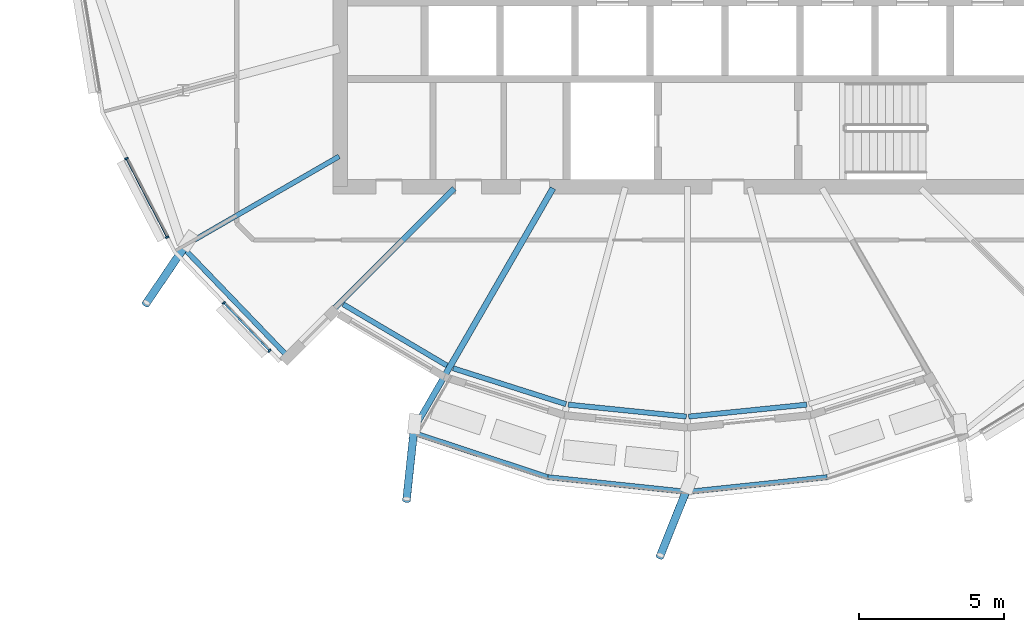
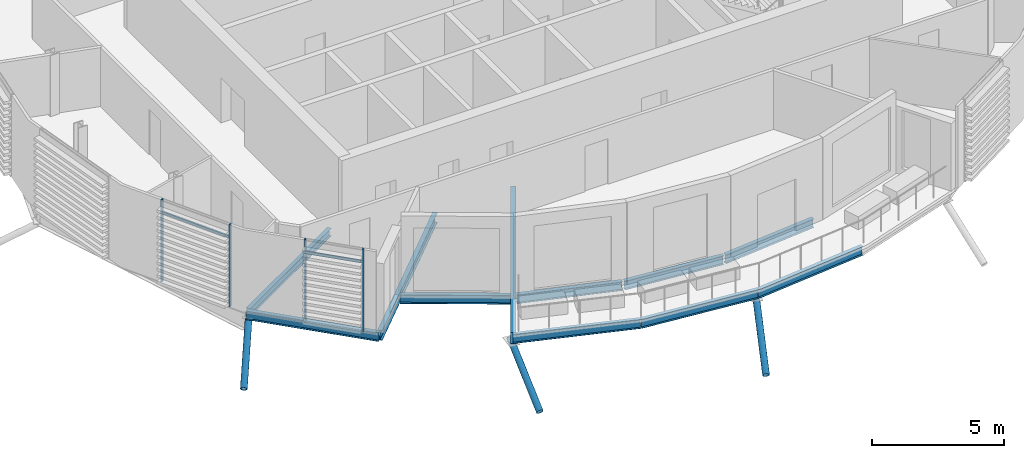
# One storey, part 3 of 41: 11 beams, 9 members, 1 element without a shape of its own.
"""IFC4 building model written with IfcOpenShell, lengths in metres."""

from ifc_helpers import new_model, si_unit, direction, frame, origin, origin_2d, place, context, subcontext, project, spatial, rectangle, hollow_circle, i_section, extrude, clip, halfspace, material, material_profile, profile_set, type_object, element, aggregate, save


model = new_model("IFC4")

# Units and contexts
model_context = context("Model", 3, precision=1e-05, world=origin(), true_north=direction((0.0, 1.0)))
body_context = subcontext(model_context, "Body", "Model", "MODEL_VIEW")
ifc_project = project(units=[si_unit("LENGTHUNIT", "METRE"), si_unit("AREAUNIT", "SQUARE_METRE"), si_unit("VOLUMEUNIT", "CUBIC_METRE"), si_unit("PLANEANGLEUNIT", "RADIAN"), si_unit("MASSUNIT", "GRAM", prefix="KILO")], contexts=[model_context])

# Site, building, storey
site_placement = place(None, origin())
site = spatial("IfcSite", under=ifc_project, at=site_placement, CompositionType="ELEMENT")
building_placement = place(site_placement, origin())
building = spatial("IfcBuilding", under=site, at=building_placement, Name="Rimbun Link Towers", CompositionType="ELEMENT")
storey_placement = place(building_placement, frame((0.0, 0.0, 210.5)))
storey = spatial("IfcBuildingStorey", under=building, at=storey_placement, Name="L51", CompositionType="ELEMENT", Elevation=210.5)

# Curtain wall, members
ifc_material_1 = material(Name="Aluminium 6063-T6 and low-iron glass", Category="aluminium")
curtain_wall_type = type_object("IfcCurtainWallType", Name="CW1-Z4 unitised vision wall (zone 4)", PredefinedType="NOTDEFINED", material=ifc_material_1)
curtain_wall_placement = place(storey_placement, origin())
curtain_wall = element("IfcCurtainWall", 1, at=curtain_wall_placement, inside=storey, type_object=curtain_wall_type, Name="CW1 L51 T1", PredefinedType="NOTDEFINED")
ifc_material_2 = material(Name="Aluminium 6063-T6", Category="aluminium")
ifc_material_profile_1 = material_profile(ifc_material_2, rectangle(XDim=0.1201171875, YDim=0.06005859375, at=origin_2d()), Name="MULLION 60X120")
ifc_profile_set_1 = profile_set([ifc_material_profile_1], Name="Aluminium 6063-T6")
member_type_1 = type_object("IfcMemberType", Name="CW1 mullion 60X120", PredefinedType="MULLION", material=ifc_profile_set_1)
member_1_placement = place(storey_placement, frame((-49.740966796875, -9.74951171875, 0.0), z_axis=(0.0, 0.0, 1.0), x_axis=(-0.888150016656, -0.459553639865, 0.0)))
member_1 = element("IfcMember", 2, at=member_1_placement, type_object=member_type_1, Name="CW1 mullion", PredefinedType="MULLION", context=body_context, shape_type="SweptSolid", body=[
    extrude(rectangle(XDim=0.1201171875, YDim=0.06005859375, at=origin_2d()), origin(), (0.0, 0.0, 1.0), 3.800048828125),
])
member_2_placement = place(storey_placement, frame((-51.1474609375, -7.03125, 0.0), z_axis=(0.0, 0.0, 1.0), x_axis=(-0.888150016656, -0.459553639865, 0.0)))
member_2 = element("IfcMember", 3, at=member_2_placement, type_object=member_type_1, Name="CW1 mullion", PredefinedType="MULLION", context=body_context, shape_type="SweptSolid", body=[
    extrude(rectangle(XDim=0.1201171875, YDim=0.06005859375, at=origin_2d()), origin(), (0.0, 0.0, 1.0), 3.800048828125),
])
member_3_placement = place(storey_placement, frame((-46.200439453125, -13.6708984375, 0.0), z_axis=(0.0, 0.0, 1.0), x_axis=(-0.721846446019, -0.692053255443, 0.0)))
member_3 = element("IfcMember", 4, at=member_3_placement, type_object=member_type_1, Name="CW1 mullion", PredefinedType="MULLION", context=body_context, shape_type="SweptSolid", body=[
    extrude(rectangle(XDim=0.1201171875, YDim=0.06005859375, at=origin_2d()), origin(), (0.0, 0.0, 1.0), 3.800048828125),
])
member_4_placement = place(storey_placement, frame((-47.78271484375, -12.0205078125, 0.0), z_axis=(0.0, 0.0, 1.0), x_axis=(-0.721846446019, -0.692053255443, 0.0)))
member_4 = element("IfcMember", 5, at=member_4_placement, type_object=member_type_1, Name="CW1 mullion", PredefinedType="MULLION", context=body_context, shape_type="SweptSolid", body=[
    extrude(rectangle(XDim=0.1201171875, YDim=0.06005859375, at=origin_2d()), origin(), (0.0, 0.0, 1.0), 3.800048828125),
])
ifc_material_3 = material(Name="Aluminium 6063-T6", Category="aluminium")
ifc_material_profile_2 = material_profile(ifc_material_3, rectangle(XDim=0.06005859375, YDim=0.1201171875, at=origin_2d()), Name="TRANSOM 60X120")
ifc_profile_set_2 = profile_set([ifc_material_profile_2], Name="Aluminium 6063-T6")
member_type_2 = type_object("IfcMemberType", Name="CW1 transom 60X120", PredefinedType="USERDEFINED", material=ifc_profile_set_2)
member_5_placement = place(storey_placement, frame((-49.7529296875, -9.721923828125, 3.199951171875), z_axis=(-0.459538013842, 0.888158101823, 0.0), x_axis=(-0.888158101823, -0.459538013842, 0.0)))
member_5 = element("IfcMember", 6, at=member_5_placement, type_object=member_type_2, Name="CW1 transom", ObjectType="TRANSOM", PredefinedType="USERDEFINED", context=body_context, shape_type="SweptSolid", body=[
    extrude(rectangle(XDim=0.06005859375, YDim=0.1201171875, at=origin_2d()), origin(), (0.0, 0.0, 1.0), 3.000732421875),
])
member_6_placement = place(storey_placement, frame((-46.2197265625, -13.64794921875, 3.199951171875), z_axis=(-0.692036343125, 0.721862659925, 0.0), x_axis=(-0.721862659925, -0.692036343125, 0.0)))
member_6 = element("IfcMember", 7, at=member_6_placement, type_object=member_type_2, Name="CW1 transom", ObjectType="TRANSOM", PredefinedType="USERDEFINED", context=body_context, shape_type="SweptSolid", body=[
    extrude(rectangle(XDim=0.06005859375, YDim=0.1201171875, at=origin_2d()), origin(), (0.0, 0.0, 1.0), 2.226318359375),
])
aggregate(curtain_wall, [member_1, member_2, member_3, member_4, member_5, member_6])

# Members
ifc_material_4 = material(Name="Steel S355J2H", Category="steel")
ifc_material_profile_3 = material_profile(ifc_material_4, hollow_circle(Radius=0.136474609375, WallThickness=0.012451171875, at=origin_2d()), Name="CHS 273x12.5")
ifc_profile_set_3 = profile_set([ifc_material_profile_3], Name="Steel S355J2H")
member_type_3 = type_object("IfcMemberType", Name="Floor edge link CHS 273x12.5", PredefinedType="BRACE", material=ifc_profile_set_3)
member_7_placement = place(storey_placement, frame((-49.08837890625, -10.010498046875, -0.610595703125), z_axis=(-0.477062900924, -0.702152432056, -0.528576343323), x_axis=(0.827145957052, -0.561987157978, 0.0)))
element("IfcMember", 8, at=member_7_placement, inside=storey, type_object=member_type_3, Name="Floor edge link T1 L51 14", PredefinedType="BRACE", context=body_context, shape_type="Clipping", body=[
    clip(extrude(hollow_circle(Radius=0.136474609375, WallThickness=0.012451171875, at=origin_2d()), frame((0.0, 0.0, -0.45751953125)), (0.0, 0.0, 1.0), 3.381591796875), halfspace(frame((0.0, 0.0, -0.21484375), z_axis=(0.0, 0.848885769276, -0.528576343323)), False)),
])
member_8_placement = place(storey_placement, frame((-41.201171875, -16.369873046875, -0.79052734375), z_axis=(-0.091504012591, -0.857755065394, -0.50584905206), x_axis=(0.994357960866, -0.106076602799, 0.0)))
element("IfcMember", 9, at=member_8_placement, inside=storey, type_object=member_type_3, Name="Floor edge link T1 L51 16", PredefinedType="BRACE", context=body_context, shape_type="Clipping", body=[
    clip(extrude(hollow_circle(Radius=0.136474609375, WallThickness=0.012451171875, at=origin_2d()), frame((0.0, 0.0, -0.4853515625)), (0.0, 0.0, 1.0), 3.375), halfspace(frame((0.0, 0.0, -0.228271484375), z_axis=(0.0, 0.862622012546, -0.50584905206)), False)),
])
member_9_placement = place(storey_placement, frame((-31.75, -18.412353515625, -0.787841796875), z_axis=(-0.313660600276, -0.780398433427, -0.540920800986), x_axis=(0.927859935282, -0.37292886788, 0.0)))
element("IfcMember", 10, at=member_9_placement, inside=storey, type_object=member_type_3, Name="Floor edge link T1 L51 18", PredefinedType="BRACE", context=body_context, shape_type="Clipping", body=[
    clip(extrude(hollow_circle(Radius=0.136474609375, WallThickness=0.012451171875, at=origin_2d()), frame((0.0, 0.0, -0.443115234375)), (0.0, 0.0, 1.0), 3.50048828125), halfspace(frame((0.0, 0.0, -0.20849609375), z_axis=(0.0, 0.841073532493, -0.540920800986)), False)),
])

# Beams
ifc_material_5 = material(Name="Steel S355J2", Category="steel")
ifc_material_profile_4 = material_profile(ifc_material_5, i_section(OverallWidth=0.17138671875, OverallDepth=0.35498046875, WebThickness=0.00732421875, FlangeThickness=0.011474609375, at=origin_2d()), Name="UB 356x171x51")
ifc_profile_set_4 = profile_set([ifc_material_profile_4], Name="Steel S355J2")
beam_type_1 = type_object("IfcBeamType", Name="UB 356x171x51", PredefinedType="BEAM", material=ifc_profile_set_4)
beam_1_placement = place(storey_placement, frame((-43.793701171875, -6.95361328125, -0.3173828125), z_axis=(-0.866038500573, -0.499977315012, 0.0), x_axis=(0.499977315012, -0.866038500573, 0.0)))
element("IfcBeam", 11, at=beam_1_placement, inside=storey, type_object=beam_type_1, Name="Radial beam T1 L51 14", PredefinedType="BEAM", context=body_context, shape_type="SweptSolid", body=[
    extrude(i_section(OverallWidth=0.17138671875, OverallDepth=0.35498046875, WebThickness=0.00732421875, FlangeThickness=0.011474609375, at=origin_2d()), origin(), (0.0, 0.0, 1.0), 6.163818359375),
])
ifc_material_6 = material(Name="Steel S355J2", Category="steel")
ifc_material_profile_5 = material_profile(ifc_material_6, i_section(OverallWidth=0.177978515625, OverallDepth=0.406494140625, WebThickness=0.0078125, FlangeThickness=0.0126953125, at=origin_2d()), Name="UB 406x178x60")
ifc_profile_set_5 = profile_set([ifc_material_profile_5], Name="Steel S355J2")
beam_type_2 = type_object("IfcBeamType", Name="UB 406x178x60", PredefinedType="BEAM", material=ifc_profile_set_5)
beam_2_placement = place(storey_placement, frame((-49.211181640625, -10.08251953125, -0.34326171875), z_axis=(0.693025487192, -0.720913083598, 0.0), x_axis=(0.720913083598, 0.693025487192, 0.0)))
element("IfcBeam", 12, at=beam_2_placement, inside=storey, type_object=beam_type_2, Name="Edge beam T1 L51 14", PredefinedType="BEAM", context=body_context, shape_type="SweptSolid", body=[
    extrude(i_section(OverallWidth=0.177978515625, OverallDepth=0.406494140625, WebThickness=0.0078125, FlangeThickness=0.0126953125, at=origin_2d()), origin(), (0.0, 0.0, 1.0), 5.2177734375),
])
beam_3_placement = place(storey_placement, frame((-43.650390625, -12.0673828125, -0.34326171875), z_axis=(0.860994187683, -0.508614794099, 0.0), x_axis=(0.508614794099, 0.860994187683, 0.0)))
element("IfcBeam", 13, at=beam_3_placement, inside=storey, type_object=beam_type_2, Name="Edge beam T1 L51 15 recess", PredefinedType="BEAM", context=body_context, shape_type="SweptSolid", body=[
    extrude(i_section(OverallWidth=0.177978515625, OverallDepth=0.406494140625, WebThickness=0.0078125, FlangeThickness=0.0126953125, at=origin_2d()), origin(), (0.0, 0.0, 1.0), 4.166015625),
])
beam_4_placement = place(storey_placement, frame((-39.85009765625, -14.279296875, -0.34326171875), z_axis=(0.952969629288, -0.303065810766, 0.0), x_axis=(0.303065810766, 0.952969629288, 0.0)))
element("IfcBeam", 14, at=beam_4_placement, inside=storey, type_object=beam_type_2, Name="Edge beam T1 L51 16 recess", PredefinedType="BEAM", context=body_context, shape_type="SweptSolid", body=[
    extrude(i_section(OverallWidth=0.177978515625, OverallDepth=0.406494140625, WebThickness=0.0078125, FlangeThickness=0.0126953125, at=origin_2d()), origin(), (0.0, 0.0, 1.0), 4.093994140625),
])
beam_5_placement = place(storey_placement, frame((-41.27099609375, -16.492919921875, -0.34326171875), z_axis=(0.949404490689, -0.314055907539, 0.0), x_axis=(0.314055907539, 0.949404490689, 0.0)))
element("IfcBeam", 15, at=beam_5_placement, inside=storey, type_object=beam_type_2, Name="Edge beam T1 L51 16 terrace", PredefinedType="BEAM", context=body_context, shape_type="SweptSolid", body=[
    extrude(i_section(OverallWidth=0.177978515625, OverallDepth=0.406494140625, WebThickness=0.0078125, FlangeThickness=0.0126953125, at=origin_2d()), origin(), (0.0, 0.0, 1.0), 4.925537109375),
])
beam_6_placement = place(storey_placement, frame((-35.873046875, -15.53564453125, -0.34326171875), z_axis=(0.994928835141, -0.100581375036, 0.0), x_axis=(0.100581375036, 0.994928835141, 0.0)))
element("IfcBeam", 16, at=beam_6_placement, inside=storey, type_object=beam_type_2, Name="Edge beam T1 L51 17 recess", PredefinedType="BEAM", context=body_context, shape_type="SweptSolid", body=[
    extrude(i_section(OverallWidth=0.177978515625, OverallDepth=0.406494140625, WebThickness=0.0078125, FlangeThickness=0.0126953125, at=origin_2d()), origin(), (0.0, 0.0, 1.0), 4.1044921875),
])
beam_7_placement = place(storey_placement, frame((-36.57421875, -18.044189453125, -0.34326171875), z_axis=(0.994497988624, -0.104755671081, 0.0), x_axis=(0.104755671081, 0.994497988624, 0.0)))
element("IfcBeam", 17, at=beam_7_placement, inside=storey, type_object=beam_type_2, Name="Edge beam T1 L51 17 terrace", PredefinedType="BEAM", context=body_context, shape_type="SweptSolid", body=[
    extrude(i_section(OverallWidth=0.177978515625, OverallDepth=0.406494140625, WebThickness=0.0078125, FlangeThickness=0.0126953125, at=origin_2d()), origin(), (0.0, 0.0, 1.0), 4.840576171875),
])
beam_8_placement = place(storey_placement, frame((-31.710693359375, -15.948486328125, -0.34326171875), z_axis=(0.994928835141, 0.100581375036, 0.0), x_axis=(-0.100581375036, 0.994928835141, 0.0)))
element("IfcBeam", 18, at=beam_8_placement, inside=storey, type_object=beam_type_2, Name="Edge beam T1 L51 18 recess", PredefinedType="BEAM", context=body_context, shape_type="SweptSolid", body=[
    extrude(i_section(OverallWidth=0.177978515625, OverallDepth=0.406494140625, WebThickness=0.0078125, FlangeThickness=0.0126953125, at=origin_2d()), origin(), (0.0, 0.0, 1.0), 4.1044921875),
])
beam_9_placement = place(storey_placement, frame((-31.73974609375, -18.55126953125, -0.34326171875), z_axis=(0.994497988624, 0.104755671081, 0.0), x_axis=(-0.104755671081, 0.994497988624, 0.0)))
element("IfcBeam", 19, at=beam_9_placement, inside=storey, type_object=beam_type_2, Name="Edge beam T1 L51 18 terrace", PredefinedType="BEAM", context=body_context, shape_type="SweptSolid", body=[
    extrude(i_section(OverallWidth=0.177978515625, OverallDepth=0.406494140625, WebThickness=0.0078125, FlangeThickness=0.0126953125, at=origin_2d()), origin(), (0.0, 0.0, 1.0), 4.840576171875),
])
ifc_material_7 = material(Name="Steel S355J2", Category="steel")
ifc_material_profile_6 = material_profile(ifc_material_7, i_section(OverallWidth=0.18994140625, OverallDepth=0.453369140625, WebThickness=0.008544921875, FlangeThickness=0.0126953125, at=origin_2d()), Name="UB 457x191x67")
ifc_profile_set_6 = profile_set([ifc_material_profile_6], Name="Steel S355J2")
beam_type_3 = type_object("IfcBeamType", Name="UB 457x191x67", PredefinedType="BEAM", material=ifc_profile_set_6)
beam_10_placement = place(storey_placement, frame((-39.81787109375, -8.06787109375, -0.36669921875), z_axis=(-0.707106781187, -0.707106781187, 0.0), x_axis=(0.707106781187, -0.707106781187, 0.0)))
element("IfcBeam", 20, at=beam_10_placement, inside=storey, type_object=beam_type_3, Name="Radial beam T1 L51 15", PredefinedType="BEAM", context=body_context, shape_type="SweptSolid", body=[
    extrude(i_section(OverallWidth=0.18994140625, OverallDepth=0.453369140625, WebThickness=0.008544921875, FlangeThickness=0.0126953125, at=origin_2d()), origin(), (0.0, 0.0, 1.0), 8.07958984375),
])
ifc_material_8 = material(Name="Steel S355J2", Category="steel")
ifc_material_profile_7 = material_profile(ifc_material_8, i_section(OverallWidth=0.209228515625, OverallDepth=0.533203125, WebThickness=0.010009765625, FlangeThickness=0.015625, at=origin_2d()), Name="UB 533x210x92")
ifc_profile_set_7 = profile_set([ifc_material_profile_7], Name="Steel S355J2")
beam_type_4 = type_object("IfcBeamType", Name="UB 533x210x92", PredefinedType="BEAM", material=ifc_profile_set_7)
beam_11_placement = place(storey_placement, frame((-36.3994140625, -8.05322265625, -0.406494140625), z_axis=(-0.500007057792, -0.866021328928, 0.0), x_axis=(0.866021328928, -0.500007057792, 0.0)))
element("IfcBeam", 21, at=beam_11_placement, inside=storey, type_object=beam_type_4, Name="Radial beam T1 L51 16", PredefinedType="BEAM", context=body_context, shape_type="SweptSolid", body=[
    extrude(i_section(OverallWidth=0.209228515625, OverallDepth=0.533203125, WebThickness=0.010009765625, FlangeThickness=0.015625, at=origin_2d()), origin(), (0.0, 0.0, 1.0), 9.653076171875),
])

save(model, "model.ifc")
